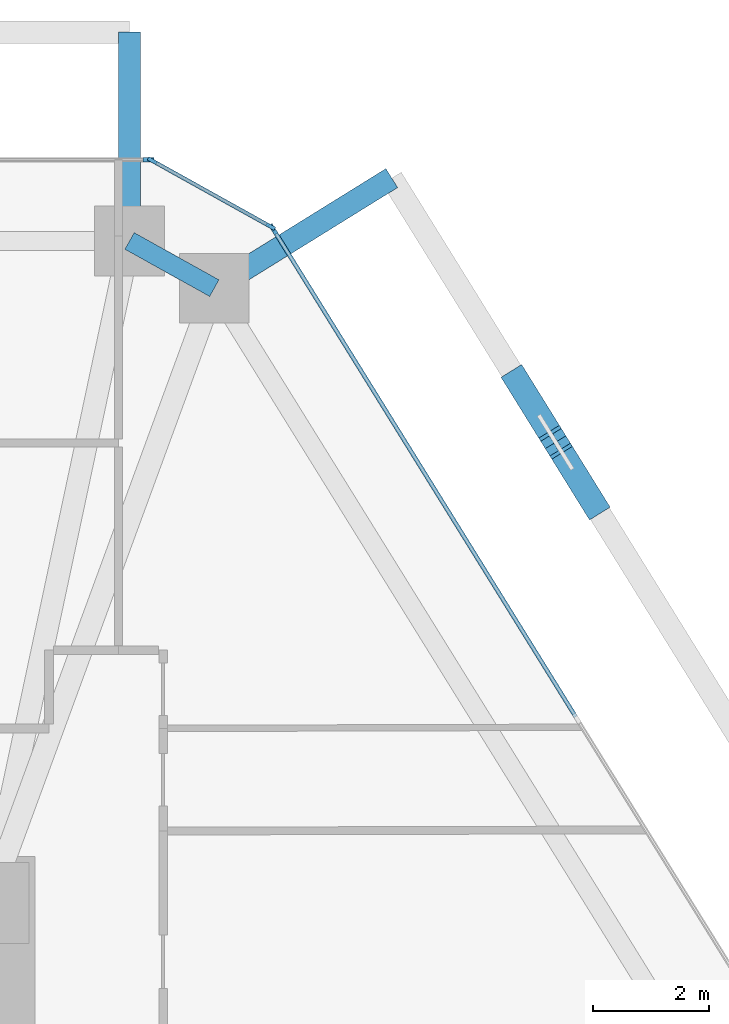
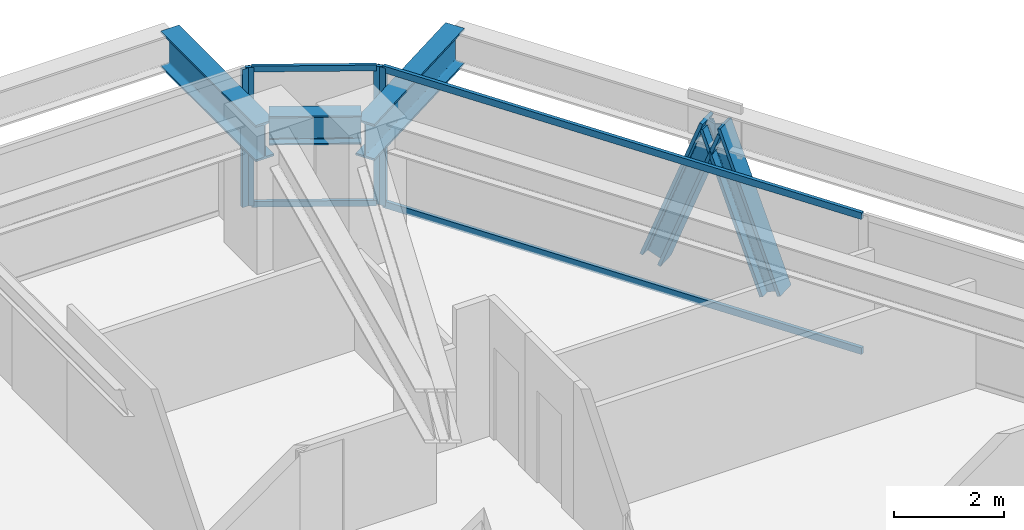
# One storey, part 8 of 16: 10 members, 3 beams, 3 elements without a shape of their own.
"""IFC4 building model written with IfcOpenShell, lengths in metres."""

from ifc_helpers import new_model, si_unit, direction, frame, origin, origin_2d, place, context, subcontext, project, spatial, rectangle, i_section, extrude, source, transform, mapped, material, layer, layer_set, material_profile, profile_set, type_object, type_shapes, element, aggregate, save


model = new_model("IFC4")

# Units and contexts
model_context = context("Model", 3, precision=1e-05, world=origin(), true_north=direction((0.0, 1.0)))
body_context = subcontext(model_context, "Body", "Model", "MODEL_VIEW")
ifc_project = project(units=[si_unit("LENGTHUNIT", "METRE"), si_unit("AREAUNIT", "SQUARE_METRE"), si_unit("VOLUMEUNIT", "CUBIC_METRE"), si_unit("PLANEANGLEUNIT", "RADIAN"), si_unit("MASSUNIT", "GRAM", prefix="KILO")], contexts=[model_context])

# Site, building, storey
site_placement = place(None, origin())
site = spatial("IfcSite", under=ifc_project, at=site_placement, CompositionType="ELEMENT")
building_placement = place(site_placement, origin())
building = spatial("IfcBuilding", under=site, at=building_placement, Name="Durnholm Broadcast Tower", CompositionType="ELEMENT")
storey_placement = place(building_placement, frame((0.0, 0.0, 117.300048828125)))
storey = spatial("IfcBuildingStorey", under=building, at=storey_placement, Name="L31", CompositionType="ELEMENT", Elevation=117.300048828125)

# Beams
ifc_material_1 = material(Name="Steel ASTM A992 Grade 50", Category="steel")
ifc_material_profile_1 = material_profile(ifc_material_1, i_section(OverallWidth=0.385009765625, OverallDepth=0.802978515625, WebThickness=0.023681640625, FlangeThickness=0.0419921875, FilletRadius=0.032958984375, at=origin_2d()), Name="W30X261")
ifc_profile_set_1 = profile_set([ifc_material_profile_1], Name="Steel ASTM A992 Grade 50")
beam_type_1 = type_object("IfcBeamType", Name="BM-EXO-TIE", PredefinedType="USERDEFINED", material=ifc_profile_set_1)
shared_shape_1 = source(origin(), body_context, "Body", "SweptSolid", [
    extrude(i_section(OverallWidth=0.385009765625, OverallDepth=0.802978515625, WebThickness=0.023681640625, FlangeThickness=0.0419921875, FilletRadius=0.032958984375, at=origin_2d()), origin(), (0.0, 0.0, 1.0), 3.4560546875),
])
beam_1_placement = place(storey_placement, frame((12.22998046875, 19.35888671875, 2.30859375), z_axis=(0.0, 1.0, 0.0), x_axis=(-1.0, 0.0, 0.0)))
element("IfcBeam", 1, at=beam_1_placement, inside=storey, type_object=beam_type_1, Name="L31 exoskeleton stand-off tie bracket F4.1", ObjectType="GIRDER", PredefinedType="USERDEFINED", context=body_context, shape_type="MappedRepresentation", body=[
    mapped(shared_shape_1, transform((0.0, 0.0, 0.0), x_axis=(1.0, 0.0, 0.0), y_axis=(0.0, 1.0, 0.0), z_axis=(0.0, 0.0, 1.0), scale=1.0)),
])
shared_shape_2 = source(origin(), body_context, "Body", "SweptSolid", [
    extrude(i_section(OverallWidth=0.385009765625, OverallDepth=0.802978515625, WebThickness=0.023681640625, FlangeThickness=0.0419921875, FilletRadius=0.032958984375, at=origin_2d()), origin(), (0.0, 0.0, 1.0), 3.455810546875),
])
type_shapes(beam_type_1, [shared_shape_1, shared_shape_2])
beam_2_placement = place(storey_placement, frame((13.814697265625, 18.477294921875, 2.30859375), z_axis=(0.849807128357, 0.527093772107, 0.0), x_axis=(-0.527093772107, 0.849807128357, 0.0)))
element("IfcBeam", 2, at=beam_2_placement, inside=storey, type_object=beam_type_1, Name="L31 exoskeleton stand-off tie bracket F3.2", ObjectType="GIRDER", PredefinedType="USERDEFINED", context=body_context, shape_type="MappedRepresentation", body=[
    mapped(shared_shape_2, transform((0.0, 0.0, 0.0), x_axis=(1.0, 0.0, 0.0), y_axis=(0.0, 1.0, 0.0), z_axis=(0.0, 0.0, 1.0), scale=1.0)),
])
ifc_material_profile_2 = material_profile(ifc_material_1, i_section(OverallWidth=0.3291015625, OverallDepth=0.635009765625, WebThickness=0.017822265625, FlangeThickness=0.031005859375, FilletRadius=0.02783203125, at=origin_2d()), Name="W24X162")
ifc_profile_set_2 = profile_set([ifc_material_profile_2], Name="Steel ASTM A992 Grade 50")
beam_type_2 = type_object("IfcBeamType", Name="STL-SP-W24X162", PredefinedType="SPANDREL", material=ifc_profile_set_2)
shared_shape_3 = source(origin(), body_context, "Body", "SweptSolid", [
    extrude(i_section(OverallWidth=0.3291015625, OverallDepth=0.635009765625, WebThickness=0.017822265625, FlangeThickness=0.031005859375, FilletRadius=0.02783203125, at=origin_2d()), origin(), (0.0, 0.0, 1.0), 1.67333984375),
])
type_shapes(beam_type_2, [shared_shape_3])
beam_3_placement = place(storey_placement, frame((12.22998046875, 19.215087890625, 2.7275390625), z_axis=(0.873799169188, -0.486286964586, 0.0), x_axis=(0.486286964586, 0.873799169188, 0.0)))
element("IfcBeam", 3, at=beam_3_placement, inside=storey, type_object=beam_type_2, Name="L31 perimeter spandrel girder 06", PredefinedType="SPANDREL", context=body_context, shape_type="MappedRepresentation", body=[
    mapped(shared_shape_3, transform((0.0, 0.0, 0.0), x_axis=(1.0, 0.0, 0.0), y_axis=(0.0, 1.0, 0.0), z_axis=(0.0, 0.0, 1.0), scale=1.0)),
])

# Members
ifc_material_2 = material(Name="Steel ASTM A913 Grade 65", Category="steel")
ifc_material_profile_3 = material_profile(ifc_material_2, i_section(OverallWidth=0.41845703125, OverallDepth=0.455078125, WebThickness=0.0419921875, FlangeThickness=0.067626953125, FilletRadius=0.030517578125, at=origin_2d()), Name="W14X370")
ifc_profile_set_3 = profile_set([ifc_material_profile_3], Name="Steel ASTM A913 Grade 65")
member_type_1 = type_object("IfcMemberType", Name="STL-DG-W14X370", PredefinedType="BRACE", material=ifc_profile_set_3)
shared_shape_4 = source(origin(), body_context, "Body", "SweptSolid", [
    extrude(i_section(OverallWidth=0.41845703125, OverallDepth=0.455078125, WebThickness=0.0419921875, FlangeThickness=0.067626953125, FilletRadius=0.030517578125, at=origin_2d()), origin(), (0.0, 0.0, 1.0), 3.523193359375),
])
member_1_placement = place(storey_placement, frame((18.92578125, 16.793212890625, -0.991455078125), z_axis=(0.184669768468, -0.297619758188, 0.936653381006), x_axis=(0.849716575602, 0.52723973783, 0.0)))
element("IfcMember", 4, at=member_1_placement, inside=storey, type_object=member_type_1, Name="L31 stand-off diagrid brace F3.D2.2", PredefinedType="BRACE", context=body_context, shape_type="MappedRepresentation", body=[
    mapped(shared_shape_4, transform((0.0, 0.0, 0.0), x_axis=(1.0, 0.0, 0.0), y_axis=(0.0, 1.0, 0.0), z_axis=(0.0, 0.0, 1.0), scale=1.0)),
])
shared_shape_5 = source(origin(), body_context, "Body", "SweptSolid", [
    extrude(i_section(OverallWidth=0.41845703125, OverallDepth=0.455078125, WebThickness=0.0419921875, FlangeThickness=0.067626953125, FilletRadius=0.030517578125, at=origin_2d()), origin(), (0.0, 0.0, 1.0), 3.52294921875),
])
type_shapes(member_type_1, [shared_shape_4, shared_shape_5])
member_2_placement = place(storey_placement, frame((20.2265625, 14.6962890625, -0.991455078125), z_axis=(-0.184539706302, 0.297564212865, 0.936696661689), x_axis=(-0.849838868368, -0.527042595823, 0.0)))
element("IfcMember", 5, at=member_2_placement, inside=storey, type_object=member_type_1, Name="L31 stand-off diagrid brace F3.D2.1", PredefinedType="BRACE", context=body_context, shape_type="MappedRepresentation", body=[
    mapped(shared_shape_5, transform((0.0, 0.0, 0.0), x_axis=(1.0, 0.0, 0.0), y_axis=(0.0, 1.0, 0.0), z_axis=(0.0, 0.0, 1.0), scale=1.0)),
])

# Curtain wall, members
ifc_material_3 = material(Name="Aluminium and Solar Control IGU", Category="aluminium")
ifc_layer_1 = layer(ifc_material_3, 0.1650390625)
ifc_layer_set_1 = layer_set([ifc_layer_1], Name="Aluminium and Solar Control IGU")
curtain_wall_type_1 = type_object("IfcCurtainWallType", Name="CW-SYS-5", PredefinedType="NOTDEFINED", material=ifc_layer_set_1)
curtain_wall_1_placement = place(storey_placement, origin())
curtain_wall_1 = element("IfcCurtainWall", 6, at=curtain_wall_1_placement, inside=storey, type_object=curtain_wall_type_1, Name="L31 curtain wall CW-CORNER CW-L31-CRN-05", PredefinedType="NOTDEFINED")
ifc_material_4 = material(Name="Aluminium 6063-T6", Category="aluminium")
ifc_material_profile_4 = material_profile(ifc_material_4, rectangle(XDim=0.06494140625, YDim=0.1650390625, at=origin_2d()), Name="CWM65X165")
ifc_profile_set_4 = profile_set([ifc_material_profile_4], Name="Aluminium 6063-T6")
member_type_2 = type_object("IfcMemberType", Name="CW-SYS-5-MUL", PredefinedType="MULLION", material=ifc_profile_set_4)
shared_shape_6 = source(origin(), body_context, "Body", "SweptSolid", [
    extrude(rectangle(XDim=0.06494140625, YDim=0.1650390625, at=origin_2d()), origin(), (0.0, 0.0, 1.0), 3.06005859375),
])
type_shapes(member_type_2, [shared_shape_6])
member_3_placement = place(storey_placement, frame((12.62158203125, 20.59912109375, 0.0), z_axis=(0.0, 0.0, 1.0), x_axis=(0.486244224192, 0.873822953715, 0.0)))
member_3 = element("IfcMember", 7, at=member_3_placement, type_object=member_type_2, Name="CW-CORNER mullion 1", PredefinedType="MULLION", context=body_context, shape_type="MappedRepresentation", body=[
    mapped(shared_shape_6, transform((0.0, 0.0, 0.0), x_axis=(1.0, 0.0, 0.0), y_axis=(0.0, 1.0, 0.0), z_axis=(0.0, 0.0, 1.0), scale=1.0)),
])
member_4_placement = place(storey_placement, frame((14.662109375, 19.4638671875, 0.0), z_axis=(0.0, 0.0, 1.0), x_axis=(0.486244224192, 0.873822953715, 0.0)))
member_4 = element("IfcMember", 8, at=member_4_placement, type_object=member_type_2, Name="CW-CORNER mullion 2", PredefinedType="MULLION", context=body_context, shape_type="MappedRepresentation", body=[
    mapped(shared_shape_6, transform((0.0, 0.0, 0.0), x_axis=(1.0, 0.0, 0.0), y_axis=(0.0, 1.0, 0.0), z_axis=(0.0, 0.0, 1.0), scale=1.0)),
])

# Curtain wall, member
ifc_layer_2 = layer(ifc_material_3, 0.18994140625)
ifc_layer_set_2 = layer_set([ifc_layer_2], Name="Aluminium and Solar Control IGU")
curtain_wall_type_2 = type_object("IfcCurtainWallType", Name="CW-SYS-3", PredefinedType="NOTDEFINED", material=ifc_layer_set_2)
curtain_wall_2_placement = place(storey_placement, origin())
curtain_wall_2 = element("IfcCurtainWall", 9, at=curtain_wall_2_placement, inside=storey, type_object=curtain_wall_type_2, Name="L31 curtain wall CW-Z12-VIS CW-L31-F04", PredefinedType="NOTDEFINED")
ifc_material_profile_5 = material_profile(ifc_material_4, rectangle(XDim=0.070068359375, YDim=0.18994140625, at=origin_2d()), Name="CWM70X190")
ifc_profile_set_5 = profile_set([ifc_material_profile_5], Name="Aluminium 6063-T6")
member_type_3 = type_object("IfcMemberType", Name="CW-SYS-3-MUL", PredefinedType="MULLION", material=ifc_profile_set_5)
shared_shape_7 = source(origin(), body_context, "Body", "SweptSolid", [
    extrude(rectangle(XDim=0.070068359375, YDim=0.18994140625, at=origin_2d()), origin(), (0.0, 0.0, 1.0), 3.06005859375),
])
type_shapes(member_type_3, [shared_shape_7])
member_5_placement = place(storey_placement, frame((12.55810546875, 20.614990234375, 0.0), z_axis=(0.0, 0.0, 1.0), x_axis=(0.0, 1.0, 0.0)))
member_5 = element("IfcMember", 10, at=member_5_placement, type_object=member_type_3, Name="CW-Z12-VIS mullion 3", PredefinedType="MULLION", context=body_context, shape_type="MappedRepresentation", body=[
    mapped(shared_shape_7, transform((0.0, 0.0, 0.0), x_axis=(1.0, 0.0, 0.0), y_axis=(0.0, 1.0, 0.0), z_axis=(0.0, 0.0, 1.0), scale=1.0)),
])
aggregate(curtain_wall_2, [member_5])

curtain_wall_3_placement = place(storey_placement, origin())
curtain_wall_3 = element("IfcCurtainWall", 11, at=curtain_wall_3_placement, inside=storey, type_object=curtain_wall_type_2, Name="L31 curtain wall CW-Z12-VIS CW-L31-F06", PredefinedType="NOTDEFINED")
member_6_placement = place(storey_placement, frame((14.708740234375, 19.418212890625, 0.0), z_axis=(0.0, 0.0, 1.0), x_axis=(0.849799925229, 0.527105385176, 0.0)))
member_6 = element("IfcMember", 12, at=member_6_placement, type_object=member_type_3, Name="CW-Z12-VIS mullion 1", PredefinedType="MULLION", context=body_context, shape_type="MappedRepresentation", body=[
    mapped(shared_shape_7, transform((0.0, 0.0, 0.0), x_axis=(1.0, 0.0, 0.0), y_axis=(0.0, 1.0, 0.0), z_axis=(0.0, 0.0, 1.0), scale=1.0)),
])

# Member
ifc_material_profile_6 = material_profile(ifc_material_4, rectangle(XDim=0.06494140625, YDim=0.1298828125, at=origin_2d()), Name="CWT65X130")
ifc_profile_set_6 = profile_set([ifc_material_profile_6], Name="Aluminium 6063-T6")
member_type_4 = type_object("IfcMemberType", Name="CW-SYS-5-TRN", PredefinedType="USERDEFINED", material=ifc_profile_set_6)
shared_shape_8 = source(origin(), body_context, "Body", "SweptSolid", [
    extrude(rectangle(XDim=0.06494140625, YDim=0.1298828125, at=origin_2d()), origin(), (0.0, 0.0, 1.0), 2.270263671875),
])
type_shapes(member_type_4, [shared_shape_8])
member_7_placement = place(storey_placement, frame((12.64990234375, 20.58349609375, 0.032470703125), z_axis=(0.873786708897, -0.486309353555, 0.0), x_axis=(0.486309353555, 0.873786708897, 0.0)))
member_7 = element("IfcMember", 13, at=member_7_placement, type_object=member_type_4, Name="CW-CORNER transom 1.1", ObjectType="TRANSOM", PredefinedType="USERDEFINED", context=body_context, shape_type="MappedRepresentation", body=[
    mapped(shared_shape_8, transform((0.0, 0.0, 0.0), x_axis=(1.0, 0.0, 0.0), y_axis=(0.0, 1.0, 0.0), z_axis=(0.0, 0.0, 1.0), scale=1.0)),
])

member_8_placement = place(storey_placement, frame((12.64990234375, 20.58349609375, 3.02734375), z_axis=(0.873786708897, -0.486309353555, 0.0), x_axis=(0.486309353555, 0.873786708897, 0.0)))
member_8 = element("IfcMember", 14, at=member_8_placement, type_object=member_type_4, Name="CW-CORNER transom 1.2", ObjectType="TRANSOM", PredefinedType="USERDEFINED", context=body_context, shape_type="MappedRepresentation", body=[
    mapped(shared_shape_8, transform((0.0, 0.0, 0.0), x_axis=(1.0, 0.0, 0.0), y_axis=(0.0, 1.0, 0.0), z_axis=(0.0, 0.0, 1.0), scale=1.0)),
])

aggregate(curtain_wall_1, [member_3, member_4, member_7, member_8])

ifc_material_profile_7 = material_profile(ifc_material_4, rectangle(XDim=0.070068359375, YDim=0.14990234375, at=origin_2d()), Name="CWT70X150")
ifc_profile_set_7 = profile_set([ifc_material_profile_7], Name="Aluminium 6063-T6")
member_type_5 = type_object("IfcMemberType", Name="CW-SYS-3-TRN", PredefinedType="USERDEFINED", material=ifc_profile_set_7)
shared_shape_9 = source(origin(), body_context, "Body", "SweptSolid", [
    extrude(rectangle(XDim=0.070068359375, YDim=0.14990234375, at=origin_2d()), origin(), (0.0, 0.0, 1.0), 9.858642578125),
])
type_shapes(member_type_5, [shared_shape_9])
member_9_placement = place(storey_placement, frame((14.727294921875, 19.388427734375, 0.034912109375), z_axis=(0.527102081419, -0.849801974441, 0.0), x_axis=(0.849801974441, 0.527102081419, 0.0)))
member_9 = element("IfcMember", 15, at=member_9_placement, type_object=member_type_5, Name="CW-Z12-VIS transom 1.1", ObjectType="TRANSOM", PredefinedType="USERDEFINED", context=body_context, shape_type="MappedRepresentation", body=[
    mapped(shared_shape_9, transform((0.0, 0.0, 0.0), x_axis=(1.0, 0.0, 0.0), y_axis=(0.0, 1.0, 0.0), z_axis=(0.0, 0.0, 1.0), scale=1.0)),
])

member_10_placement = place(storey_placement, frame((14.727294921875, 19.388427734375, 3.02490234375), z_axis=(0.527102081419, -0.849801974441, 0.0), x_axis=(0.849801974441, 0.527102081419, 0.0)))
member_10 = element("IfcMember", 16, at=member_10_placement, type_object=member_type_5, Name="CW-Z12-VIS transom 1.2", ObjectType="TRANSOM", PredefinedType="USERDEFINED", context=body_context, shape_type="MappedRepresentation", body=[
    mapped(shared_shape_9, transform((0.0, 0.0, 0.0), x_axis=(1.0, 0.0, 0.0), y_axis=(0.0, 1.0, 0.0), z_axis=(0.0, 0.0, 1.0), scale=1.0)),
])

aggregate(curtain_wall_3, [member_6, member_9, member_10])

save(model, "model.ifc")
